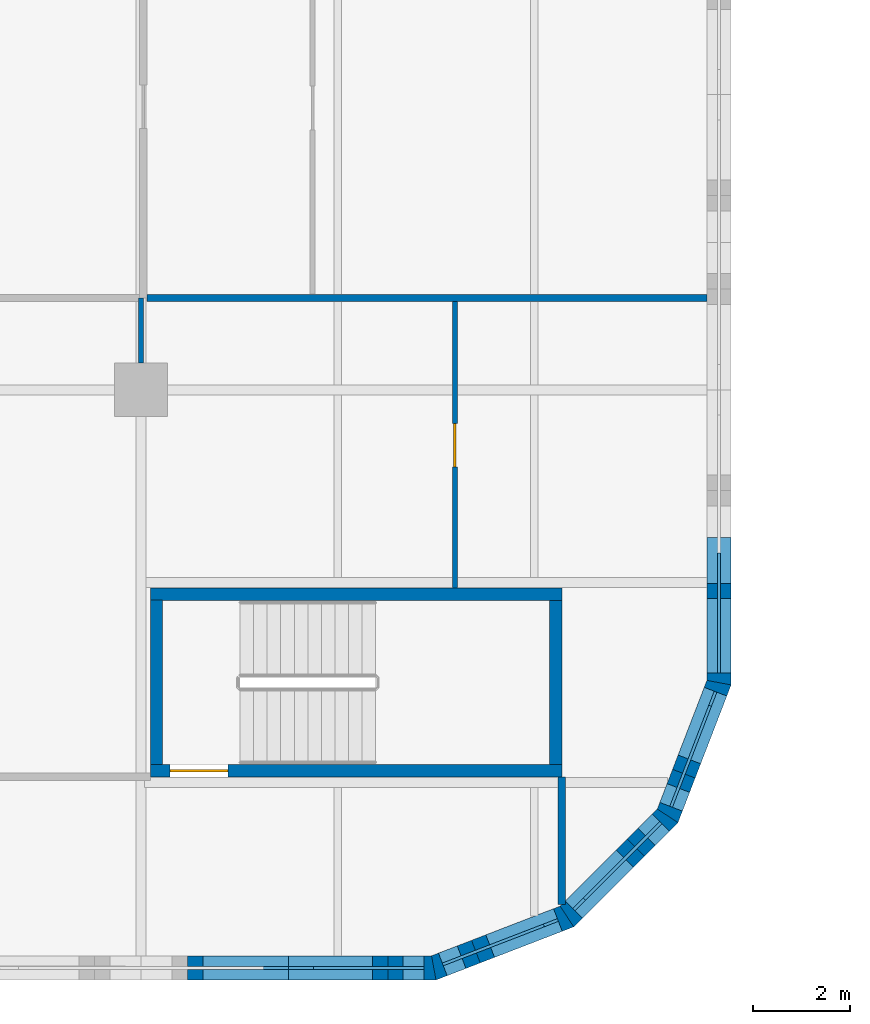
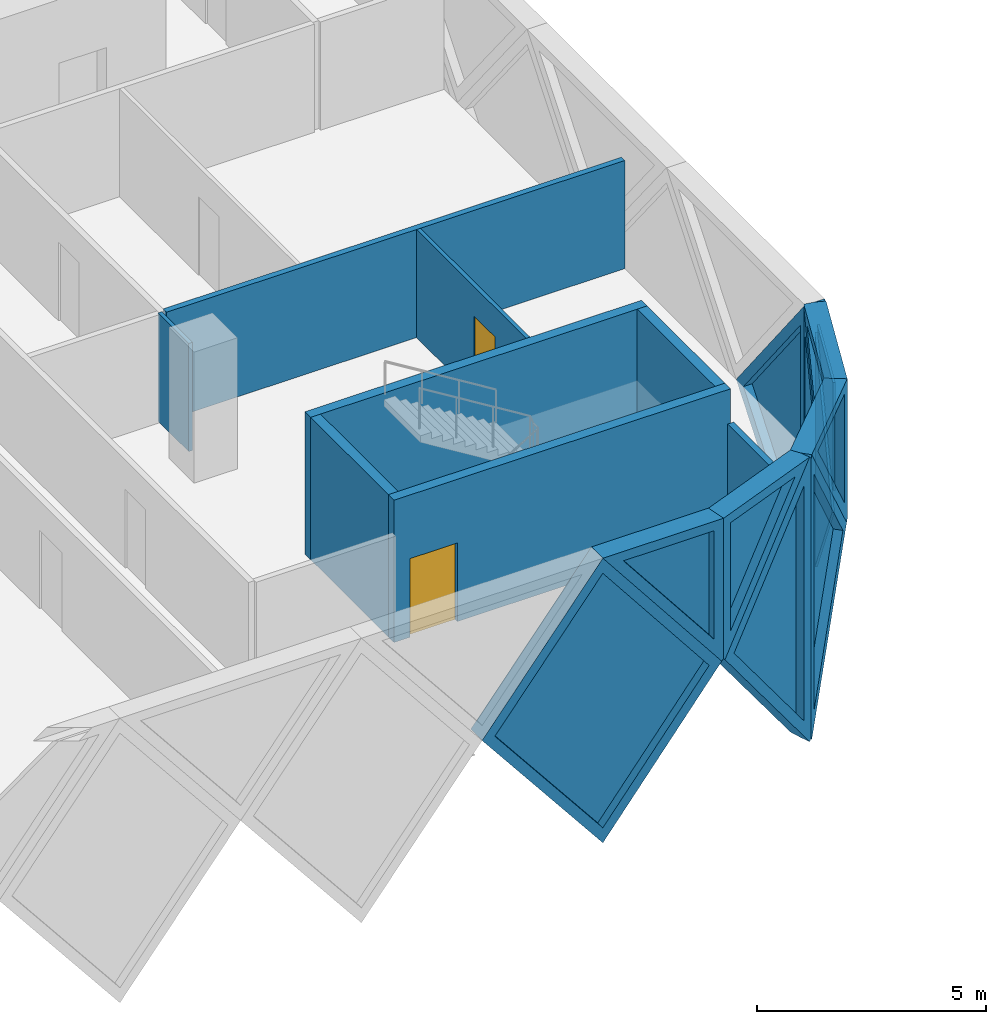
# One storey, part 7 of 24: 17 walls, 9 plates, 2 doors, 11 openings.
"""IFC4 building model written with IfcOpenShell, lengths in metres."""

from ifc_helpers import new_model, si_unit, direction, frame, frame_2d, origin, place, context, subcontext, project, spatial, polyline, rectangle, outline, extrude, faceted_brep, source, transform, mapped, material, layer, layer_set, type_object, element, fill, save


model = new_model("IFC4")

# Units and contexts
model_context = context("Model", 3, precision=1e-05, world=origin(), true_north=direction((0.0, 1.0)))
body_context = subcontext(model_context, "Body", "Model", "MODEL_VIEW")
ifc_project = project(units=[si_unit("LENGTHUNIT", "METRE"), si_unit("AREAUNIT", "SQUARE_METRE"), si_unit("VOLUMEUNIT", "CUBIC_METRE"), si_unit("PLANEANGLEUNIT", "RADIAN"), si_unit("MASSUNIT", "GRAM", prefix="KILO")], contexts=[model_context])

# Site, building, storey
site_placement = place(None, origin())
site = spatial("IfcSite", under=ifc_project, at=site_placement, CompositionType="ELEMENT")
building_placement = place(site_placement, origin())
building = spatial("IfcBuilding", under=site, at=building_placement, Name="Tessera Gate Towers", CompositionType="ELEMENT")
storey_placement = place(building_placement, frame((0.0, 0.0, 60.0)))
storey = spatial("IfcBuildingStorey", under=building, at=storey_placement, Name="L14", CompositionType="ELEMENT", Elevation=60.0)

# Wall, opening, door
ifc_material_1 = material(Name="Concrete C40/50", Category="concrete")
ifc_layer_1 = layer(ifc_material_1, 0.25)
ifc_layer_set_1 = layer_set([ifc_layer_1], Name="CORE ENCLOSURE WALL 250")
wall_type_1 = type_object("IfcWallType", Name="CORE ENCLOSURE WALL 250", PredefinedType="SOLIDWALL", material=ifc_layer_set_1)
wall_1_placement = place(storey_placement, frame((57.5, 4.324951171875, 0.0), z_axis=(0.0, 0.0, 1.0), x_axis=(-1.0, 0.0, 0.0)))
wall_1 = element("IfcWall", 1, at=wall_1_placement, inside=storey, type_object=wall_type_1, Name="L14 ST4 enclosure wall", PredefinedType="SOLIDWALL", context=body_context, shape_type="SweptSolid", body=[
    extrude(rectangle(XDim=8.5, YDim=0.25, at=frame_2d((4.25, 0.0))), origin(), (0.0, 0.0, 1.0), 3.800048828125),
])
shared_shape_1 = source(origin(), body_context, "Body", "SweptSolid", [
    extrude(rectangle(XDim=1.199951171875, YDim=2.10009765625, at=frame_2d((0.60009765625, 1.050048828125))), frame((0.0, 0.135009765625, 0.0), z_axis=(0.0, -1.0, 0.0), x_axis=(1.0, 0.0, 0.0)), (0.0, 0.0, 1.0), 0.27001953125),
])
opening_1_placement = place(wall_1_placement, frame((6.89990234375, 0.0, 0.0)))
opening_1 = element("IfcOpeningElement", 2, at=opening_1_placement, cuts=wall_1, Name="Opening SD-ST4-1", PredefinedType="OPENING", context=body_context, shape_type="MappedRepresentation", body=[
    mapped(shared_shape_1, transform((0.0, 0.0, 0.0), scale=1.0)),
])
ifc_material_2 = material(Name="Hollow steel fire door", Category="steel")
door_type_1 = type_object("IfcDoorType", Name="CORE DOOR SD 1200x2100", OperationType="NOTDEFINED", PredefinedType="DOOR", material=ifc_material_2)
shared_shape_2 = source(origin(), body_context, "Body", "SweptSolid", [
    extrude(rectangle(XDim=1.199951171875, YDim=2.10009765625, at=frame_2d((0.60009765625, 1.050048828125))), frame((0.0, 0.02490234375, 0.0), z_axis=(0.0, -1.0, 0.0), x_axis=(1.0, 0.0, 0.0)), (0.0, 0.0, 1.0), 0.050048828125),
])
door_1_placement = place(opening_1_placement, origin())
door_1 = element("IfcDoor", 3, at=door_1_placement, inside=storey, type_object=door_type_1, Name="Stair door", OperationType="SINGLE_SWING_RIGHT", OverallHeight=2.10009765625, OverallWidth=1.199951171875, PredefinedType="DOOR", context=body_context, shape_type="MappedRepresentation", body=[
    mapped(shared_shape_2, transform((0.0, 0.0, 0.0), scale=1.0)),
])
fill(opening_1, door_1)

# Walls
wall_2_placement = place(storey_placement, frame((49.125, 4.449951171875, 0.0), z_axis=(0.0, 0.0, 1.0), x_axis=(0.0, 1.0, 0.0)))
element("IfcWall", 4, at=wall_2_placement, inside=storey, type_object=wall_type_1, Name="L14 ST4 enclosure wall", PredefinedType="SOLIDWALL", context=body_context, shape_type="SweptSolid", body=[
    extrude(rectangle(XDim=3.400146484375, YDim=0.25, at=frame_2d((1.7001953125, 0.0))), origin(), (0.0, 0.0, 1.0), 3.800048828125),
])
wall_3_placement = place(storey_placement, frame((49.0, 7.97509765625, 0.0), z_axis=(0.0, 0.0, 1.0), x_axis=(1.0, 0.0, 0.0)))
element("IfcWall", 5, at=wall_3_placement, inside=storey, type_object=wall_type_1, Name="L14 ST4 enclosure wall", PredefinedType="SOLIDWALL", context=body_context, shape_type="SweptSolid", body=[
    extrude(rectangle(XDim=8.5, YDim=0.25, at=frame_2d((4.25, 0.0))), origin(), (0.0, 0.0, 1.0), 3.800048828125),
])
wall_4_placement = place(storey_placement, frame((57.375, 7.85009765625, 0.0), z_axis=(0.0, 0.0, 1.0), x_axis=(0.0, -1.0, 0.0)))
element("IfcWall", 6, at=wall_4_placement, inside=storey, type_object=wall_type_1, Name="L14 ST4 enclosure wall", PredefinedType="SOLIDWALL", context=body_context, shape_type="SweptSolid", body=[
    extrude(rectangle(XDim=3.400146484375, YDim=0.25, at=frame_2d((1.7001953125, 0.0))), origin(), (0.0, 0.0, 1.0), 3.800048828125),
])
ifc_material_3 = material(Name="Gypsum board on steel studs, mineral wool", Category="steel")
ifc_layer_2 = layer(ifc_material_3, 0.14990234375)
ifc_layer_set_2 = layer_set([ifc_layer_2], Name="CORRIDOR WALL 150")
wall_type_2 = type_object("IfcWallType", Name="CORRIDOR WALL 150", PredefinedType="PARTITIONING", material=ifc_layer_set_2)
wall_5_placement = place(storey_placement, frame((57.5, 1.55908203125, 0.0), z_axis=(0.0, 0.0, 1.0), x_axis=(0.0, 1.0, 0.0)))
element("IfcWall", 7, at=wall_5_placement, inside=storey, type_object=wall_type_2, Name="T1-L14-PW-002", PredefinedType="PARTITIONING", context=body_context, shape_type="SweptSolid", body=[
    extrude(rectangle(XDim=2.640869140625, YDim=0.14990234375, at=frame_2d((1.3203125, 0.0))), origin(), (0.0, 0.0, 1.0), 2.887939453125),
])

# Wall, opening, door
ifc_material_4 = material(Name="Glass", Category="glass")
ifc_layer_3 = layer(ifc_material_4, 0.10009765625)
ifc_layer_set_3 = layer_set([ifc_layer_3], Name="GLAZED PARTITION 100")
wall_type_3 = type_object("IfcWallType", Name="GLAZED PARTITION 100", PredefinedType="PARTITIONING", material=ifc_layer_set_3)
wall_6_placement = place(storey_placement, frame((55.2900390625, 14.02392578125, 0.0), z_axis=(0.0, 0.0, 1.0), x_axis=(0.0, -1.0, 0.0)))
wall_6 = element("IfcWall", 8, at=wall_6_placement, inside=storey, type_object=wall_type_3, Name="T1-L14-PW-005", PredefinedType="PARTITIONING", context=body_context, shape_type="SweptSolid", body=[
    extrude(rectangle(XDim=5.923828125, YDim=0.10009765625, at=frame_2d((2.9619140625, 0.0))), origin(), (0.0, 0.0, 1.0), 2.887939453125),
])
shared_shape_3 = source(origin(), body_context, "Body", "SweptSolid", [
    extrude(rectangle(XDim=0.89990234375, YDim=2.10009765625, at=frame_2d((0.449951171875, 1.050048828125))), frame((0.0, 0.06005859375, 0.0), z_axis=(0.0, -1.0, 0.0), x_axis=(1.0, 0.0, 0.0)), (0.0, 0.0, 1.0), 0.1201171875),
])
opening_2_placement = place(wall_6_placement, frame((2.52392578125, 0.0, 0.0)))
opening_2 = element("IfcOpeningElement", 9, at=opening_2_placement, cuts=wall_6, Name="Opening D690-A05-02", PredefinedType="OPENING", context=body_context, shape_type="MappedRepresentation", body=[
    mapped(shared_shape_3, transform((0.0, 0.0, 0.0), scale=1.0)),
])
ifc_material_5 = material(Name="Glass in aluminium frame", Category="aluminium")
door_type_2 = type_object("IfcDoorType", Name="GLAZED DOOR 900 NOT RATED", OperationType="NOTDEFINED", PredefinedType="DOOR", material=ifc_material_5)
shared_shape_4 = source(origin(), body_context, "Body", "SweptSolid", [
    extrude(rectangle(XDim=0.89990234375, YDim=2.10009765625, at=frame_2d((0.449951171875, 1.050048828125))), frame((0.0, 0.02490234375, 0.0), z_axis=(0.0, -1.0, 0.0), x_axis=(1.0, 0.0, 0.0)), (0.0, 0.0, 1.0), 0.050048828125),
])
door_2_placement = place(opening_2_placement, origin())
door_2 = element("IfcDoor", 10, at=door_2_placement, inside=storey, type_object=door_type_2, Name="T1-L14-PD-013", OperationType="SINGLE_SWING_RIGHT", OverallHeight=2.10009765625, OverallWidth=0.89990234375, PredefinedType="DOOR", context=body_context, shape_type="MappedRepresentation", body=[
    mapped(shared_shape_4, transform((0.0, 0.0, 0.0), scale=1.0)),
])
fill(opening_2, door_2)

# Walls
ifc_material_6 = material(Name="Gypsum board on steel studs", Category="steel")
ifc_layer_4 = layer(ifc_material_6, 0.10009765625)
ifc_layer_set_4 = layer_set([ifc_layer_4], Name="PARTITION 100")
wall_type_4 = type_object("IfcWallType", Name="PARTITION 100", PredefinedType="PARTITIONING", material=ifc_layer_set_4)
wall_7_placement = place(storey_placement, frame((48.800048828125, 12.75, 0.0), z_axis=(0.0, 0.0, 1.0), x_axis=(0.0, 1.0, 0.0)))
element("IfcWall", 11, at=wall_7_placement, inside=storey, type_object=wall_type_4, Name="T1-L14-PW-006", PredefinedType="PARTITIONING", context=body_context, shape_type="SweptSolid", body=[
    extrude(rectangle(XDim=1.35009765625, YDim=0.10009765625, at=frame_2d((0.675048828125, 0.0))), origin(), (0.0, 0.0, 1.0), 2.887939453125),
])
ifc_material_7 = material(Name="Gypsum board on steel studs, mineral wool", Category="steel")
ifc_layer_5 = layer(ifc_material_7, 0.14990234375)
ifc_layer_set_5 = layer_set([ifc_layer_5], Name="TENANCY WALL 150")
wall_type_5 = type_object("IfcWallType", Name="TENANCY WALL 150", PredefinedType="PARTITIONING", material=ifc_layer_set_5)
wall_8_placement = place(storey_placement, frame((48.926025390625, 14.10009765625, 0.0), z_axis=(0.0, 0.0, 1.0), x_axis=(1.0, 0.0, 0.0)))
element("IfcWall", 12, at=wall_8_placement, inside=storey, type_object=wall_type_5, Name="T1-L14-PW-010", PredefinedType="PARTITIONING", context=body_context, shape_type="SweptSolid", body=[
    extrude(rectangle(XDim=11.573974609375, YDim=0.14990234375, at=frame_2d((5.787109375, 0.0))), origin(), (0.0, 0.0, 1.0), 2.887939453125),
])

# Wall, opening, plate
ifc_material_8 = material(Name="Precast concrete C60/75 white", Category="concrete")
ifc_layer_6 = layer(ifc_material_8, 0.5)
ifc_layer_set_6 = layer_set([ifc_layer_6], Name="TS1 tessera")
wall_type_6 = type_object("IfcWallType", Name="TS1 tessera", PredefinedType="SOLIDWALL", material=ifc_layer_set_6)
shared_shape_5 = source(origin(), body_context, "Body", "Brep", [
    faceted_brep([(3.050048828125, -0.25, 0.0), (6.053466796875, -0.25, 3.800048828125), (3.050048828125, -0.25, 7.60009765625), (0.0, -0.25, 3.800048828125), (0.0, 0.25, 3.800048828125), (3.050048828125, 0.25, 7.60009765625), (6.0068359375, 0.25, 3.85888671875), (6.0068359375, 0.25, 3.7412109375), (3.050048828125, 0.25, 0.0), (6.053466796875, 0.0, 3.800048828125)], [[[0, 1, 2, 3]], [[4, 5, 6, 7, 8]], [[8, 7, 9, 1, 0]], [[6, 5, 2, 1, 9]], [[5, 4, 3, 2]], [[4, 8, 0, 3]], [[9, 7, 6]]]),
])
wall_9_placement = place(storey_placement, frame((48.800048828125, 0.25, -3.800048828125), z_axis=(0.0, 0.0, 1.0), x_axis=(1.0, 0.0, 0.0)))
wall_9 = element("IfcWall", 13, at=wall_9_placement, inside=storey, type_object=wall_type_6, Name="Precast tessera T1 TS1-0210", PredefinedType="SOLIDWALL", context=body_context, shape_type="MappedRepresentation", body=[
    mapped(shared_shape_5, transform((0.0, 0.0, 0.0), scale=1.0)),
])
shared_shape_6 = source(origin(), body_context, "Body", "SweptSolid", [
    extrude(outline(polyline([(3.048583984375, 0.4013671875), (5.73486328125, 3.800048828125), (3.048583984375, 7.19873046875), (0.320556640625, 3.800048828125), (3.048583984375, 0.4013671875)])), frame((0.0, 0.260009765625, 0.0), z_axis=(0.0, -1.0, 0.0), x_axis=(1.0, 0.0, 0.0)), (0.0, 0.0, 1.0), 0.52001953125),
])
opening_3_placement = place(wall_9_placement, origin())
opening_3 = element("IfcOpeningElement", 14, at=opening_3_placement, cuts=wall_9, Name="Opening T1-PL2-0426", PredefinedType="OPENING", context=body_context, shape_type="MappedRepresentation", body=[
    mapped(shared_shape_6, transform((0.0, 0.0, 0.0), scale=1.0)),
])
ifc_material_9 = material(Name="Low-e laminated glass", Category="glass")
ifc_layer_7 = layer(ifc_material_9, 0.06005859375)
ifc_layer_set_7 = layer_set([ifc_layer_7], Name="PL2 rhombic pane")
plate_type_1 = type_object("IfcPlateType", Name="PL2 rhombic pane", PredefinedType="SHEET", material=ifc_layer_set_7)
shared_shape_7 = source(origin(), body_context, "Body", "SweptSolid", [
    extrude(outline(polyline([(3.048583984375, 0.4013671875), (5.73486328125, 3.800048828125), (3.048583984375, 7.19873046875), (0.320556640625, 3.800048828125), (3.048583984375, 0.4013671875)])), frame((0.0, 0.030029296875, 0.0), z_axis=(0.0, -1.0, 0.0), x_axis=(1.0, 0.0, 0.0)), (0.0, 0.0, 1.0), 0.06005859375),
])
plate_1_placement = place(opening_3_placement, origin())
plate_1 = element("IfcPlate", 15, at=plate_1_placement, inside=storey, type_object=plate_type_1, Name="Glass pane T1 PL2-0426", PredefinedType="SHEET", context=body_context, shape_type="MappedRepresentation", body=[
    mapped(shared_shape_7, transform((0.0, 0.0, 0.0), scale=1.0)),
])
fill(opening_3, plate_1)

ifc_material_10 = material(Name="Precast concrete C60/75 white", Category="concrete")
ifc_layer_8 = layer(ifc_material_10, 0.5)
ifc_layer_set_8 = layer_set([ifc_layer_8], Name="TS3 corner tessera")
wall_type_7 = type_object("IfcWallType", Name="TS3 corner tessera", PredefinedType="SOLIDWALL", material=ifc_layer_set_8)
shared_shape_8 = source(origin(), body_context, "Body", "Brep", [
    faceted_brep([(2.950439453125, -0.25, 0.0), (3.00341796875, -0.25, 0.068359375), (3.00341796875, -0.25, 7.53173828125), (2.950439453125, -0.25, 7.60009765625), (0.0, -0.25, 3.800048828125), (0.046630859375, 0.25, 3.860107421875), (2.897705078125, 0.25, 7.531982421875), (2.897705078125, 0.25, 0.068115234375), (0.046630859375, 0.25, 3.739990234375), (2.950439453125, 0.00048828125, 0.0), (2.950439453125, 0.00048828125, 7.60009765625), (0.0, 0.0, 3.800048828125)], [[[0, 1, 2, 3, 4]], [[5, 6, 7, 8]], [[1, 0, 9]], [[10, 3, 2]], [[6, 5, 11, 4, 3, 10]], [[8, 7, 9, 0, 4, 11]], [[8, 11, 5]], [[1, 9, 7, 6, 10, 2]]]),
])
wall_10_placement = place(storey_placement, frame((54.853515625, 0.25, -3.800048828125), z_axis=(0.0, 0.0, 1.0), x_axis=(0.932970071518, 0.359953949349, 0.0)))
wall_10 = element("IfcWall", 16, at=wall_10_placement, inside=storey, type_object=wall_type_7, Name="Precast corner tessera T1 TS3-0289", PredefinedType="SOLIDWALL", context=body_context, shape_type="MappedRepresentation", body=[
    mapped(shared_shape_8, transform((0.0, 0.0, 0.0), scale=1.0)),
])
shared_shape_9 = source(origin(), body_context, "Body", "SweptSolid", [
    extrude(outline(polyline([(2.75048828125, 6.934814453125), (0.31640625, 3.800048828125), (2.75048828125, 0.665283203125), (2.75048828125, 6.934814453125)])), frame((0.0, 0.260009765625, 0.0), z_axis=(0.0, -1.0, 0.0), x_axis=(1.0, 0.0, 0.0)), (0.0, 0.0, 1.0), 0.52001953125),
])
opening_4_placement = place(wall_10_placement, origin())
opening_4 = element("IfcOpeningElement", 17, at=opening_4_placement, cuts=wall_10, Name="Opening T1-PL2-0427", PredefinedType="OPENING", context=body_context, shape_type="MappedRepresentation", body=[
    mapped(shared_shape_9, transform((0.0, 0.0, 0.0), scale=1.0)),
])
shared_shape_10 = source(origin(), body_context, "Body", "SweptSolid", [
    extrude(outline(polyline([(2.75048828125, 6.934814453125), (0.31640625, 3.800048828125), (2.75048828125, 0.665283203125), (2.75048828125, 6.934814453125)])), frame((0.0, 0.030029296875, 0.0), z_axis=(0.0, -1.0, 0.0), x_axis=(1.0, 0.0, 0.0)), (0.0, 0.0, 1.0), 0.06005859375),
])
plate_2_placement = place(opening_4_placement, origin())
plate_2 = element("IfcPlate", 18, at=plate_2_placement, inside=storey, type_object=plate_type_1, Name="Glass pane T1 PL2-0427", PredefinedType="SHEET", context=body_context, shape_type="MappedRepresentation", body=[
    mapped(shared_shape_10, transform((0.0, 0.0, 0.0), scale=1.0)),
])
fill(opening_4, plate_2)

shared_shape_11 = source(origin(), body_context, "Body", "Brep", [
    faceted_brep([(0.052978515625, -0.25, 0.0), (2.9970703125, -0.25, 3.800048828125), (0.052978515625, -0.25, 7.60009765625), (0.0, -0.25, 7.531982421875), (0.0, -0.25, 0.068115234375), (0.10595703125, 0.25, 7.53173828125), (2.944091796875, 0.25, 3.8681640625), (2.944091796875, 0.25, 3.73193359375), (0.10595703125, 0.25, 0.068359375), (2.9970703125, 0.000244140625, 3.800048828125), (0.052978515625, 0.0, 0.0), (0.052978515625, 0.0, 7.60009765625)], [[[0, 1, 2, 3, 4]], [[5, 6, 7, 8]], [[8, 7, 9, 1, 0, 10]], [[6, 5, 11, 2, 1, 9]], [[3, 2, 11]], [[10, 0, 4]], [[8, 10, 4, 3, 11, 5]], [[9, 7, 6]]]),
])
wall_11_placement = place(storey_placement, frame((57.56884765625, 1.2744140625, -3.800048828125), z_axis=(0.0, 0.0, 1.0), x_axis=(0.707066050402, 0.707147509625, 0.0)))
wall_11 = element("IfcWall", 19, at=wall_11_placement, inside=storey, type_object=wall_type_7, Name="Precast corner tessera T1 TS3-0290", PredefinedType="SOLIDWALL", context=body_context, shape_type="MappedRepresentation", body=[
    mapped(shared_shape_11, transform((0.0, 0.0, 0.0), scale=1.0)),
])
shared_shape_12 = source(origin(), body_context, "Body", "SweptSolid", [
    extrude(outline(polyline([(0.2529296875, 0.666259765625), (2.680908203125, 3.800048828125), (0.2529296875, 6.933837890625), (0.2529296875, 0.666259765625)])), frame((0.0, 0.260009765625, 0.0), z_axis=(0.0, -1.0, 0.0), x_axis=(1.0, 0.0, 0.0)), (0.0, 0.0, 1.0), 0.52001953125),
])
opening_5_placement = place(wall_11_placement, origin())
opening_5 = element("IfcOpeningElement", 20, at=opening_5_placement, cuts=wall_11, Name="Opening T1-PL2-0428", PredefinedType="OPENING", context=body_context, shape_type="MappedRepresentation", body=[
    mapped(shared_shape_12, transform((0.0, 0.0, 0.0), scale=1.0)),
])
shared_shape_13 = source(origin(), body_context, "Body", "SweptSolid", [
    extrude(outline(polyline([(0.2529296875, 0.666259765625), (2.680908203125, 3.800048828125), (0.2529296875, 6.933837890625), (0.2529296875, 0.666259765625)])), frame((0.0, 0.030029296875, 0.0), z_axis=(0.0, -1.0, 0.0), x_axis=(1.0, 0.0, 0.0)), (0.0, 0.0, 1.0), 0.06005859375),
])
plate_3_placement = place(opening_5_placement, origin())
plate_3 = element("IfcPlate", 21, at=plate_3_placement, inside=storey, type_object=plate_type_1, Name="Glass pane T1 PL2-0428", PredefinedType="SHEET", context=body_context, shape_type="MappedRepresentation", body=[
    mapped(shared_shape_13, transform((0.0, 0.0, 0.0), scale=1.0)),
])
fill(opening_5, plate_3)

shared_shape_14 = source(origin(), body_context, "Body", "Brep", [
    faceted_brep([(2.950439453125, -0.25, 0.0), (2.9970703125, -0.25, 0.05908203125), (2.9970703125, -0.25, 7.541015625), (2.950439453125, -0.25, 7.60009765625), (0.0, -0.25, 3.800048828125), (0.052978515625, 0.25, 3.8681640625), (2.904052734375, 0.25, 7.540283203125), (2.904052734375, 0.25, 0.059814453125), (0.052978515625, 0.25, 3.73193359375), (2.950439453125, 0.00048828125, 0.0), (2.950439453125, 0.00048828125, 7.60009765625), (0.0, 0.0, 3.800048828125)], [[[0, 1, 2, 3, 4]], [[5, 6, 7, 8]], [[1, 0, 9]], [[10, 3, 2]], [[6, 5, 11, 4, 3, 10]], [[8, 7, 9, 0, 4, 11]], [[8, 11, 5]], [[1, 9, 7, 6, 10, 2]]]),
])
wall_12_placement = place(storey_placement, frame((59.68798828125, 3.393798828125, -3.800048828125), z_axis=(0.0, 0.0, 1.0), x_axis=(0.359972353723, 0.932962970624, 0.0)))
wall_12 = element("IfcWall", 22, at=wall_12_placement, inside=storey, type_object=wall_type_7, Name="Precast corner tessera T1 TS3-0291", PredefinedType="SOLIDWALL", context=body_context, shape_type="MappedRepresentation", body=[
    mapped(shared_shape_14, transform((0.0, 0.0, 0.0), scale=1.0)),
])
opening_6_placement = place(wall_12_placement, origin())
opening_6 = element("IfcOpeningElement", 23, at=opening_6_placement, cuts=wall_12, Name="Opening T1-PL2-0429", PredefinedType="OPENING", context=body_context, shape_type="MappedRepresentation", body=[
    mapped(shared_shape_9, transform((0.0, 0.0, 0.0), scale=1.0)),
])
plate_4_placement = place(opening_6_placement, origin())
plate_4 = element("IfcPlate", 24, at=plate_4_placement, inside=storey, type_object=plate_type_1, Name="Glass pane T1 PL2-0429", PredefinedType="SHEET", context=body_context, shape_type="MappedRepresentation", body=[
    mapped(shared_shape_10, transform((0.0, 0.0, 0.0), scale=1.0)),
])
fill(opening_6, plate_4)

shared_shape_15 = source(origin(), body_context, "Body", "Brep", [
    faceted_brep([(0.046630859375, -0.25, 0.0), (3.050048828125, -0.25, 3.800048828125), (0.046630859375, -0.25, 7.60009765625), (0.0, -0.25, 7.5400390625), (0.0, -0.25, 0.06005859375), (0.09326171875, 0.25, 7.541259765625), (3.050048828125, 0.25, 3.800048828125), (0.09326171875, 0.25, 0.058837890625), (0.046630859375, 0.0, 0.0), (0.046630859375, 0.0, 7.60009765625)], [[[0, 1, 2, 3, 4]], [[5, 6, 7]], [[7, 6, 1, 0, 8]], [[6, 5, 9, 2, 1]], [[3, 2, 9]], [[8, 0, 4]], [[7, 8, 4, 3, 9, 5]]]),
])
wall_13_placement = place(storey_placement, frame((60.75, 6.099853515625, -3.800048828125), z_axis=(0.0, 0.0, 1.0), x_axis=(0.0, 1.0, 0.0)))
wall_13 = element("IfcWall", 25, at=wall_13_placement, inside=storey, type_object=wall_type_7, Name="Precast corner tessera T1 TS3-0292", PredefinedType="SOLIDWALL", context=body_context, shape_type="MappedRepresentation", body=[
    mapped(shared_shape_15, transform((0.0, 0.0, 0.0), scale=1.0)),
])
shared_shape_16 = source(origin(), body_context, "Body", "SweptSolid", [
    extrude(outline(polyline([(0.24658203125, 0.65625), (2.7314453125, 3.800048828125), (0.24658203125, 6.94384765625), (0.24658203125, 0.65625)])), frame((0.0, 0.260009765625, 0.0), z_axis=(0.0, -1.0, 0.0), x_axis=(1.0, 0.0, 0.0)), (0.0, 0.0, 1.0), 0.52001953125),
])
opening_7_placement = place(wall_13_placement, origin())
opening_7 = element("IfcOpeningElement", 26, at=opening_7_placement, cuts=wall_13, Name="Opening T1-PL2-0430", PredefinedType="OPENING", context=body_context, shape_type="MappedRepresentation", body=[
    mapped(shared_shape_16, transform((0.0, 0.0, 0.0), scale=1.0)),
])
shared_shape_17 = source(origin(), body_context, "Body", "SweptSolid", [
    extrude(outline(polyline([(0.24658203125, 0.65625), (2.7314453125, 3.800048828125), (0.24658203125, 6.94384765625), (0.24658203125, 0.65625)])), frame((0.0, 0.030029296875, 0.0), z_axis=(0.0, -1.0, 0.0), x_axis=(1.0, 0.0, 0.0)), (0.0, 0.0, 1.0), 0.06005859375),
])
plate_5_placement = place(opening_7_placement, origin())
plate_5 = element("IfcPlate", 27, at=plate_5_placement, inside=storey, type_object=plate_type_1, Name="Glass pane T1 PL2-0430", PredefinedType="SHEET", context=body_context, shape_type="MappedRepresentation", body=[
    mapped(shared_shape_17, transform((0.0, 0.0, 0.0), scale=1.0)),
])
fill(opening_7, plate_5)

shared_shape_18 = source(origin(), body_context, "Body", "Brep", [
    faceted_brep([(3.00341796875, -0.25, 0.0), (3.050048828125, -0.25, 0.06005859375), (3.050048828125, -0.25, 3.800048828125), (0.0, -0.25, 3.800048828125), (0.0, 0.25, 3.800048828125), (2.956787109375, 0.25, 3.800048828125), (2.956787109375, 0.25, 0.058837890625), (3.00341796875, 0.000244140625, 0.0)], [[[0, 1, 2, 3]], [[4, 5, 6]], [[1, 0, 7]], [[5, 4, 3, 2]], [[4, 6, 7, 0, 3]], [[1, 7, 6, 5, 2]]]),
])
wall_14_placement = place(storey_placement, frame((51.85009765625, 0.25, 0.0), z_axis=(0.0, 0.0, 1.0), x_axis=(1.0, 0.0, 0.0)))
wall_14 = element("IfcWall", 28, at=wall_14_placement, inside=storey, type_object=wall_type_7, Name="Precast corner tessera T1 TS3-0315", PredefinedType="SOLIDWALL", context=body_context, shape_type="MappedRepresentation", body=[
    mapped(shared_shape_18, transform((0.0, 0.0, 0.0), scale=1.0)),
])
shared_shape_19 = source(origin(), body_context, "Body", "SweptSolid", [
    extrude(outline(polyline([(2.803466796875, 3.550048828125), (0.516357421875, 3.550048828125), (2.803466796875, 0.65625), (2.803466796875, 3.550048828125)])), frame((0.0, 0.260009765625, 0.0), z_axis=(0.0, -1.0, 0.0), x_axis=(1.0, 0.0, 0.0)), (0.0, 0.0, 1.0), 0.52001953125),
])
opening_8_placement = place(wall_14_placement, origin())
opening_8 = element("IfcOpeningElement", 29, at=opening_8_placement, cuts=wall_14, Name="Opening T1-PL1-0146", PredefinedType="OPENING", context=body_context, shape_type="MappedRepresentation", body=[
    mapped(shared_shape_19, transform((0.0, 0.0, 0.0), scale=1.0)),
])
ifc_material_11 = material(Name="Low-e laminated glass", Category="glass")
ifc_layer_9 = layer(ifc_material_11, 0.06005859375)
ifc_layer_set_9 = layer_set([ifc_layer_9], Name="PL1 triangular pane")
plate_type_2 = type_object("IfcPlateType", Name="PL1 triangular pane", PredefinedType="SHEET", material=ifc_layer_set_9)
shared_shape_20 = source(origin(), body_context, "Body", "SweptSolid", [
    extrude(outline(polyline([(2.803466796875, 3.550048828125), (0.516357421875, 3.550048828125), (2.803466796875, 0.65625), (2.803466796875, 3.550048828125)])), frame((0.0, 0.030029296875, 0.0), z_axis=(0.0, -1.0, 0.0), x_axis=(1.0, 0.0, 0.0)), (0.0, 0.0, 1.0), 0.06005859375),
])
plate_6_placement = place(opening_8_placement, origin())
plate_6 = element("IfcPlate", 30, at=plate_6_placement, inside=storey, type_object=plate_type_2, Name="Glass pane T1 PL1-0146", PredefinedType="SHEET", context=body_context, shape_type="MappedRepresentation", body=[
    mapped(shared_shape_20, transform((0.0, 0.0, 0.0), scale=1.0)),
])
fill(opening_8, plate_6)

shared_shape_21 = source(origin(), body_context, "Body", "Brep", [
    faceted_brep([(0.046630859375, -0.25, 0.0), (2.9970703125, -0.25, 3.800048828125), (0.0, -0.25, 3.800048828125), (0.0, -0.25, 0.058837890625), (0.09326171875, 0.25, 3.800048828125), (2.9443359375, 0.25, 3.800048828125), (2.9443359375, 0.25, 3.73193359375), (0.09326171875, 0.25, 0.06005859375), (2.9970703125, 0.00048828125, 3.800048828125), (0.046630859375, 0.0, 0.0)], [[[0, 1, 2, 3]], [[4, 5, 6, 7]], [[7, 6, 8, 1, 0, 9]], [[5, 4, 2, 1, 8]], [[9, 0, 3]], [[7, 9, 3, 2, 4]], [[6, 5, 8]]]),
])
wall_15_placement = place(storey_placement, frame((54.81005859375, 0.233154296875, 0.0), z_axis=(0.0, 0.0, 1.0), x_axis=(0.932990326376, 0.359901446078, 0.0)))
wall_15 = element("IfcWall", 31, at=wall_15_placement, inside=storey, type_object=wall_type_7, Name="Precast corner tessera T1 TS3-0316", PredefinedType="SOLIDWALL", context=body_context, shape_type="MappedRepresentation", body=[
    mapped(shared_shape_21, transform((0.0, 0.0, 0.0), scale=1.0)),
])
shared_shape_22 = source(origin(), body_context, "Body", "SweptSolid", [
    extrude(outline(polyline([(0.24658203125, 0.665283203125), (2.486572265625, 3.550048828125), (0.24658203125, 3.550048828125), (0.24658203125, 0.665283203125)])), frame((0.0, 0.260009765625, 0.0), z_axis=(0.0, -1.0, 0.0), x_axis=(1.0, 0.0, 0.0)), (0.0, 0.0, 1.0), 0.52001953125),
])
opening_9_placement = place(wall_15_placement, origin())
opening_9 = element("IfcOpeningElement", 32, at=opening_9_placement, cuts=wall_15, Name="Opening T1-PL1-0147", PredefinedType="OPENING", context=body_context, shape_type="MappedRepresentation", body=[
    mapped(shared_shape_22, transform((0.0, 0.0, 0.0), scale=1.0)),
])
shared_shape_23 = source(origin(), body_context, "Body", "SweptSolid", [
    extrude(outline(polyline([(0.24658203125, 0.665283203125), (2.486572265625, 3.550048828125), (0.24658203125, 3.550048828125), (0.24658203125, 0.665283203125)])), frame((0.0, 0.030029296875, 0.0), z_axis=(0.0, -1.0, 0.0), x_axis=(1.0, 0.0, 0.0)), (0.0, 0.0, 1.0), 0.06005859375),
])
plate_7_placement = place(opening_9_placement, origin())
plate_7 = element("IfcPlate", 33, at=plate_7_placement, inside=storey, type_object=plate_type_2, Name="Glass pane T1 PL1-0147", PredefinedType="SHEET", context=body_context, shape_type="MappedRepresentation", body=[
    mapped(shared_shape_23, transform((0.0, 0.0, 0.0), scale=1.0)),
])
fill(opening_9, plate_7)

shared_shape_24 = source(origin(), body_context, "Body", "Brep", [
    faceted_brep([(2.944091796875, -0.25, 0.0), (2.9970703125, -0.25, 0.068115234375), (2.9970703125, -0.25, 3.800048828125), (0.0, -0.25, 3.800048828125), (0.052978515625, 0.25, 3.800048828125), (2.89111328125, 0.25, 3.800048828125), (2.89111328125, 0.25, 0.068115234375), (0.052978515625, 0.25, 3.731689453125), (2.944091796875, 0.000244140625, 0.0), (0.0, 0.0, 3.800048828125)], [[[0, 1, 2, 3]], [[4, 5, 6, 7]], [[1, 0, 8]], [[5, 4, 9, 3, 2]], [[7, 6, 8, 0, 3, 9]], [[7, 9, 4]], [[1, 8, 6, 5, 2]]]),
])
wall_16_placement = place(storey_placement, frame((57.606201171875, 1.31201171875, 0.0), z_axis=(0.0, 0.0, 1.0), x_axis=(0.707147509625, 0.707066050402, 0.0)))
wall_16 = element("IfcWall", 34, at=wall_16_placement, inside=storey, type_object=wall_type_7, Name="Precast corner tessera T1 TS3-0317", PredefinedType="SOLIDWALL", context=body_context, shape_type="MappedRepresentation", body=[
    mapped(shared_shape_24, transform((0.0, 0.0, 0.0), scale=1.0)),
])
shared_shape_25 = source(origin(), body_context, "Body", "SweptSolid", [
    extrude(outline(polyline([(2.744140625, 3.550048828125), (0.510009765625, 3.550048828125), (2.744140625, 0.666259765625), (2.744140625, 3.550048828125)])), frame((0.0, 0.260009765625, 0.0), z_axis=(0.0, -1.0, 0.0), x_axis=(1.0, 0.0, 0.0)), (0.0, 0.0, 1.0), 0.52001953125),
])
opening_10_placement = place(wall_16_placement, origin())
opening_10 = element("IfcOpeningElement", 35, at=opening_10_placement, cuts=wall_16, Name="Opening T1-PL1-0148", PredefinedType="OPENING", context=body_context, shape_type="MappedRepresentation", body=[
    mapped(shared_shape_25, transform((0.0, 0.0, 0.0), scale=1.0)),
])
shared_shape_26 = source(origin(), body_context, "Body", "SweptSolid", [
    extrude(outline(polyline([(2.744140625, 3.550048828125), (0.510009765625, 3.550048828125), (2.744140625, 0.666259765625), (2.744140625, 3.550048828125)])), frame((0.0, 0.030029296875, 0.0), z_axis=(0.0, -1.0, 0.0), x_axis=(1.0, 0.0, 0.0)), (0.0, 0.0, 1.0), 0.06005859375),
])
plate_8_placement = place(opening_10_placement, origin())
plate_8 = element("IfcPlate", 36, at=plate_8_placement, inside=storey, type_object=plate_type_2, Name="Glass pane T1 PL1-0148", PredefinedType="SHEET", context=body_context, shape_type="MappedRepresentation", body=[
    mapped(shared_shape_26, transform((0.0, 0.0, 0.0), scale=1.0)),
])
fill(opening_10, plate_8)

shared_shape_27 = source(origin(), body_context, "Body", "Brep", [
    faceted_brep([(0.052978515625, -0.25, 0.0), (3.00341796875, -0.25, 3.800048828125), (0.0, -0.25, 3.800048828125), (0.0, -0.25, 0.068359375), (0.10595703125, 0.25, 3.800048828125), (2.95703125, 0.25, 3.800048828125), (2.95703125, 0.25, 3.740234375), (0.10595703125, 0.25, 0.068115234375), (3.00341796875, 0.00048828125, 3.800048828125), (0.052978515625, 0.0, 0.0)], [[[0, 1, 2, 3]], [[4, 5, 6, 7]], [[7, 6, 8, 1, 0, 9]], [[5, 4, 2, 1, 8]], [[9, 0, 3]], [[7, 9, 3, 2, 4]], [[6, 5, 8]]]),
])
wall_17_placement = place(storey_placement, frame((59.6689453125, 3.34423828125, 0.0), z_axis=(0.0, 0.0, 1.0), x_axis=(0.35992665181, 0.932980602862, 0.0)))
wall_17 = element("IfcWall", 37, at=wall_17_placement, inside=storey, type_object=wall_type_7, Name="Precast corner tessera T1 TS3-0318", PredefinedType="SOLIDWALL", context=body_context, shape_type="MappedRepresentation", body=[
    mapped(shared_shape_27, transform((0.0, 0.0, 0.0), scale=1.0)),
])
shared_shape_28 = source(origin(), body_context, "Body", "SweptSolid", [
    extrude(outline(polyline([(0.2529296875, 0.665283203125), (2.492919921875, 3.550048828125), (0.2529296875, 3.550048828125), (0.2529296875, 0.665283203125)])), frame((0.0, 0.260009765625, 0.0), z_axis=(0.0, -1.0, 0.0), x_axis=(1.0, 0.0, 0.0)), (0.0, 0.0, 1.0), 0.52001953125),
])
opening_11_placement = place(wall_17_placement, origin())
opening_11 = element("IfcOpeningElement", 38, at=opening_11_placement, cuts=wall_17, Name="Opening T1-PL1-0149", PredefinedType="OPENING", context=body_context, shape_type="MappedRepresentation", body=[
    mapped(shared_shape_28, transform((0.0, 0.0, 0.0), scale=1.0)),
])
shared_shape_29 = source(origin(), body_context, "Body", "SweptSolid", [
    extrude(outline(polyline([(0.2529296875, 0.665283203125), (2.492919921875, 3.550048828125), (0.2529296875, 3.550048828125), (0.2529296875, 0.665283203125)])), frame((0.0, 0.030029296875, 0.0), z_axis=(0.0, -1.0, 0.0), x_axis=(1.0, 0.0, 0.0)), (0.0, 0.0, 1.0), 0.06005859375),
])
plate_9_placement = place(opening_11_placement, origin())
plate_9 = element("IfcPlate", 39, at=plate_9_placement, inside=storey, type_object=plate_type_2, Name="Glass pane T1 PL1-0149", PredefinedType="SHEET", context=body_context, shape_type="MappedRepresentation", body=[
    mapped(shared_shape_29, transform((0.0, 0.0, 0.0), scale=1.0)),
])
fill(opening_11, plate_9)

save(model, "model.ifc")
